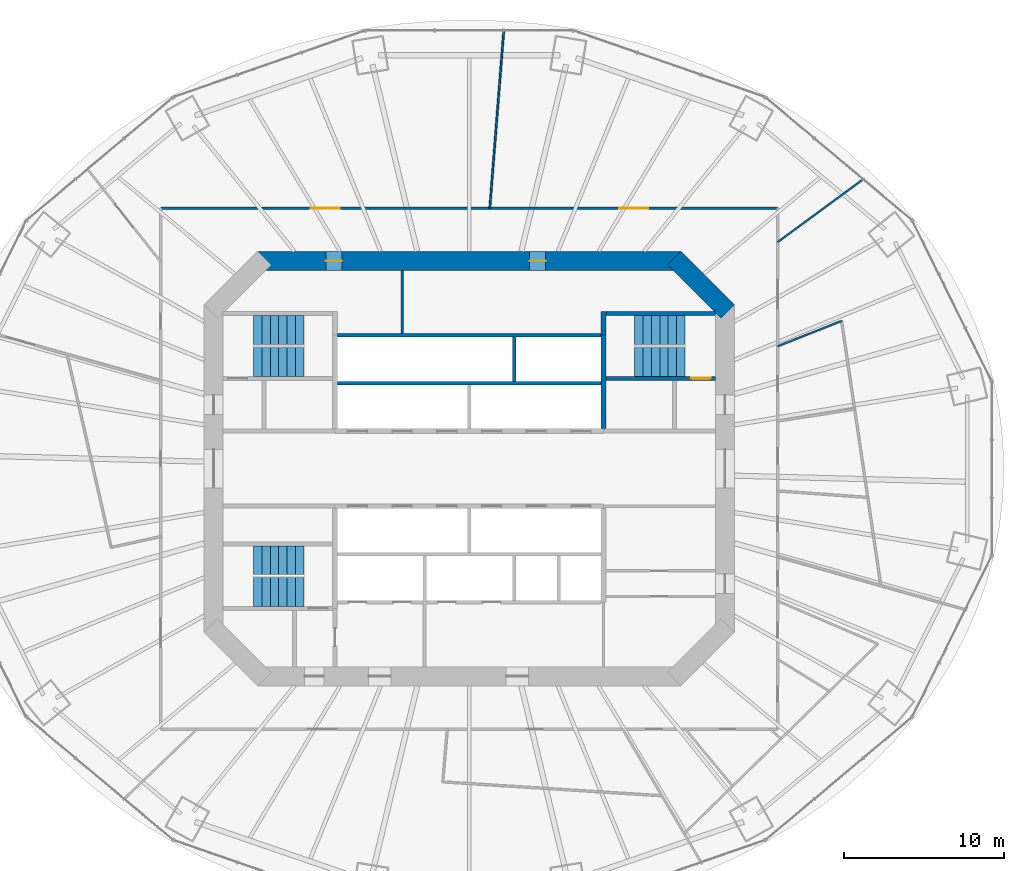
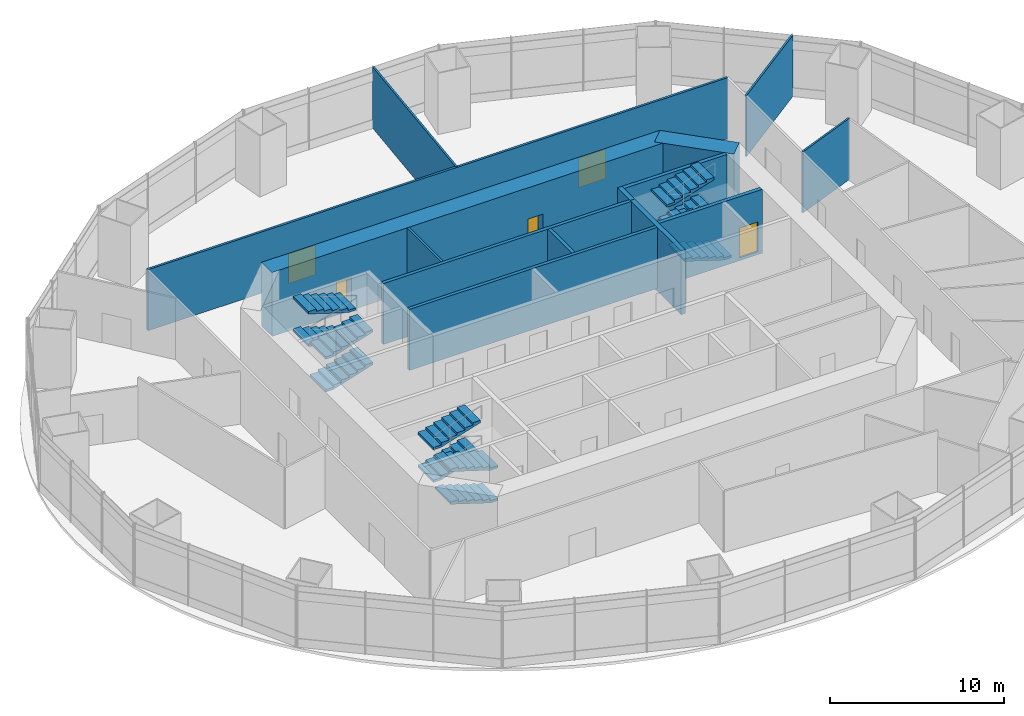
# One storey, part 16 of 17: 14 walls, 12 stair flights, 5 doors, 5 openings, 3 elements without a shape of their own.
"""IFC4 building model written with IfcOpenShell, lengths in metres."""

from ifc_helpers import new_model, si_unit, direction, frame, frame_2d, origin, place, context, subcontext, project, spatial, polyline, rectangle, outline, extrude, material, layer, layer_set, type_object, element, fill, aggregate, save


model = new_model("IFC4")

# Units and contexts
model_context = context("Model", 3, precision=1e-05, world=origin(), true_north=direction((0.0, 1.0)))
body_context = subcontext(model_context, "Body", "Model", "MODEL_VIEW")
ifc_project = project(units=[si_unit("LENGTHUNIT", "METRE"), si_unit("AREAUNIT", "SQUARE_METRE"), si_unit("VOLUMEUNIT", "CUBIC_METRE"), si_unit("PLANEANGLEUNIT", "RADIAN"), si_unit("MASSUNIT", "GRAM", prefix="KILO")], contexts=[model_context])

# Site, building, storey
site_placement = place(None, origin())
site = spatial("IfcSite", under=ifc_project, at=site_placement, CompositionType="ELEMENT")
building_placement = place(site_placement, origin())
building = spatial("IfcBuilding", under=site, at=building_placement, Name="Marenthal Gate Tower", CompositionType="ELEMENT")
storey_placement = place(building_placement, frame((0.0, 0.0, 145.050048828125)))
storey = spatial("IfcBuildingStorey", under=building, at=storey_placement, Name="L31", CompositionType="ELEMENT", Elevation=145.050048828125)

# Wall
ifc_material_1 = material(Name="Concrete 60 MPa", Category="concrete")
ifc_layer_1 = layer(ifc_material_1, 1.199951171875)
ifc_layer_set_1 = layer_set([ifc_layer_1], Name="Core shear wall 1200")
wall_type_1 = type_object("IfcWallType", Name="Core shear wall 1200", PredefinedType="SHEAR", material=ifc_layer_set_1)
wall_1_placement = place(storey_placement, frame((16.17578125, 9.82421875, -0.199951171875), z_axis=(0.0, 0.0, 1.0), x_axis=(-0.707106781187, 0.707106781187, 0.0)))
element("IfcWall", 1, at=wall_1_placement, inside=storey, type_object=wall_type_1, Name="Core wall 03", PredefinedType="SHEAR", context=body_context, shape_type="SweptSolid", body=[
    extrude(rectangle(XDim=4.73974609375, YDim=1.199951171875, at=frame_2d((2.369873046875, 0.0))), origin(), (0.0, 0.0, 1.0), 4.5),
])

# Wall, openings, doors
wall_2_placement = place(storey_placement, frame((13.24853515625, 13.0, -0.199951171875), z_axis=(0.0, 0.0, 1.0), x_axis=(-1.0, 0.0, 0.0)))
wall_2 = element("IfcWall", 2, at=wall_2_placement, inside=storey, type_object=wall_type_1, Name="Core wall 04", PredefinedType="SHEAR", context=body_context, shape_type="SweptSolid", body=[
    extrude(rectangle(XDim=26.4970703125, YDim=1.199951171875, at=frame_2d((13.24853515625, 0.0))), origin(), (0.0, 0.0, 1.0), 4.5),
])
opening_1_placement = place(wall_2_placement, frame((21.224609375, 0.0, 0.199951171875)))
opening_1 = element("IfcOpeningElement", 3, at=opening_1_placement, cuts=wall_2, Name="Opening D005.01", PredefinedType="OPENING", context=body_context, shape_type="SweptSolid", body=[
    extrude(rectangle(XDim=1.0, YDim=2.10009765625, at=frame_2d((0.5, 1.050048828125))), frame((0.0, 0.60986328125, 0.0), z_axis=(0.0, -1.0, 0.0), x_axis=(1.0, 0.0, 0.0)), (0.0, 0.0, 1.0), 1.219970703125),
])
opening_2_placement = place(wall_2_placement, frame((8.472412109375, 0.0, 0.199951171875)))
opening_2 = element("IfcOpeningElement", 4, at=opening_2_placement, cuts=wall_2, Name="Opening D005.02", PredefinedType="OPENING", context=body_context, shape_type="SweptSolid", body=[
    extrude(rectangle(XDim=1.0, YDim=2.10009765625, at=frame_2d((0.5, 1.050048828125))), frame((0.0, 0.60986328125, 0.0), z_axis=(0.0, -1.0, 0.0), x_axis=(1.0, 0.0, 0.0)), (0.0, 0.0, 1.0), 1.219970703125),
])
ifc_material_2 = material(Name="Steel fire door", Category="steel")
door_type_1 = type_object("IfcDoorType", Name="Fire door FD 45 1000 x 2100", OperationType="NOTDEFINED", PredefinedType="DOOR", material=ifc_material_2)
door_1_placement = place(opening_1_placement, origin())
door_1 = element("IfcDoor", 5, at=door_1_placement, inside=storey, type_object=door_type_1, Name="Door D005.01", OperationType="SINGLE_SWING_RIGHT", OverallHeight=2.10009765625, OverallWidth=1.0, PredefinedType="DOOR", context=body_context, shape_type="SweptSolid", body=[
    extrude(rectangle(XDim=1.0, YDim=2.10009765625, at=frame_2d((0.5, 1.050048828125))), frame((0.0, 0.02490234375, 0.0), z_axis=(0.0, -1.0, 0.0), x_axis=(1.0, 0.0, 0.0)), (0.0, 0.0, 1.0), 0.050048828125),
])
fill(opening_1, door_1)
door_2_placement = place(opening_2_placement, origin())
door_2 = element("IfcDoor", 6, at=door_2_placement, inside=storey, type_object=door_type_1, Name="Door D005.02", OperationType="SINGLE_SWING_RIGHT", OverallHeight=2.10009765625, OverallWidth=1.0, PredefinedType="DOOR", context=body_context, shape_type="SweptSolid", body=[
    extrude(rectangle(XDim=1.0, YDim=2.10009765625, at=frame_2d((0.5, 1.050048828125))), frame((0.0, 0.02490234375, 0.0), z_axis=(0.0, -1.0, 0.0), x_axis=(1.0, 0.0, 0.0)), (0.0, 0.0, 1.0), 0.050048828125),
])
fill(opening_2, door_2)

# Walls
ifc_material_3 = material(Name="Concrete 50 MPa", Category="concrete")
ifc_layer_2 = layer(ifc_material_3, 0.300048828125)
ifc_layer_set_2 = layer_set([ifc_layer_2], Name="Hoistway shear wall 300")
wall_type_2 = type_object("IfcWallType", Name="Hoistway shear wall 300", PredefinedType="SHEAR", material=ifc_layer_set_2)
wall_3_placement = place(storey_placement, frame((8.39990234375, 2.5, -0.199951171875), z_axis=(0.0, 0.0, 1.0), x_axis=(0.0, 1.0, 0.0)))
element("IfcWall", 7, at=wall_3_placement, inside=storey, type_object=wall_type_2, Name="Hoistway wall 44", PredefinedType="SHEAR", context=body_context, shape_type="SweptSolid", body=[
    extrude(rectangle(XDim=5.85009765625, YDim=0.300048828125, at=frame_2d((2.925048828125, 0.0))), origin(), (0.0, 0.0, 1.0), 4.5),
])
ifc_material_4 = material(Name="Concrete 40 MPa", Category="concrete")
ifc_layer_3 = layer(ifc_material_4, 0.219970703125)
ifc_layer_set_3 = layer_set([ifc_layer_3], Name="Hoistway wall 220")
wall_type_3 = type_object("IfcWallType", Name="Hoistway wall 220", PredefinedType="STANDARD", material=ifc_layer_set_3)
for number, where, z_axis, x_axis, name in (
    (8, (-8.25, 5.35009765625, 0.0), (0.0, 0.0, 1.0), (1.0, 0.0, 0.0), "Hoistway wall 22"),
    (9, (-8.25, 8.35009765625, 0.0), (0.0, 0.0, 1.0), (1.0, 0.0, 0.0), "Hoistway wall 25"),
):
    element("IfcWall", number, at=place(storey_placement, frame(where, z_axis=z_axis, x_axis=x_axis)), inside=storey, type_object=wall_type_3, Name=name, PredefinedType="STANDARD", context=body_context, shape_type="SweptSolid", body=[
        extrude(rectangle(XDim=16.5, YDim=0.219970703125, at=frame_2d((8.25, 0.0))), origin(), (0.0, 0.0, 1.0), 4.300048828125),
    ])
wall_4_placement = place(storey_placement, frame((2.800048828125, 5.4599609375, 0.0), z_axis=(0.0, 0.0, 1.0), x_axis=(0.0, 1.0, 0.0)))
element("IfcWall", 10, at=wall_4_placement, inside=storey, type_object=wall_type_3, Name="Hoistway wall 40", PredefinedType="STANDARD", context=body_context, shape_type="SweptSolid", body=[
    extrude(rectangle(XDim=2.780029296875, YDim=0.219970703125, at=frame_2d((1.39013671875, 0.0))), origin(), (0.0, 0.0, 1.0), 4.300048828125),
])
ifc_material_5 = material(Name="Gypsum board on steel studs", Category="steel")
ifc_layer_4 = layer(ifc_material_5, 0.1201171875)
ifc_layer_set_4 = layer_set([ifc_layer_4], Name="Partition 120")
wall_type_4 = type_object("IfcWallType", Name="Partition 120", PredefinedType="PARTITIONING", material=ifc_layer_set_4)
wall_5_placement = place(storey_placement, frame((1.282958984375, 16.300048828125, 0.0), z_axis=(0.0, 0.0, 1.0), x_axis=(0.078467217376, 0.996916694512, 0.0)))
element("IfcWall", 11, at=wall_5_placement, inside=storey, type_object=wall_type_4, Name="Partition wall 55", PredefinedType="PARTITIONING", context=body_context, shape_type="SweptSolid", body=[
    extrude(rectangle(XDim=11.154296875, YDim=0.1201171875, at=frame_2d((5.5771484375, 0.0))), origin(), (0.0, 0.0, 1.0), 4.300048828125),
])
wall_6_placement = place(storey_placement, frame((19.300048828125, 14.1796875, 0.0), z_axis=(0.0, 0.0, 1.0), x_axis=(0.805871425668, 0.592090571865, 0.0)))
element("IfcWall", 12, at=wall_6_placement, inside=storey, type_object=wall_type_4, Name="Partition wall 61", PredefinedType="PARTITIONING", context=body_context, shape_type="SweptSolid", body=[
    extrude(rectangle(XDim=6.637451171875, YDim=0.1201171875, at=frame_2d((3.31884765625, 0.0))), origin(), (0.0, 0.0, 1.0), 4.300048828125),
])
wall_7_placement = place(storey_placement, frame((23.2958984375, 9.242431640625, 0.0), z_axis=(0.0, 0.0, 1.0), x_axis=(-0.92950709005, -0.368804242854, 0.0)))
element("IfcWall", 13, at=wall_7_placement, inside=storey, type_object=wall_type_4, Name="Partition wall 65", PredefinedType="PARTITIONING", context=body_context, shape_type="SweptSolid", body=[
    extrude(rectangle(XDim=4.298828125, YDim=0.1201171875, at=frame_2d((2.1494140625, 0.0))), origin(), (0.0, 0.0, 1.0), 4.300048828125),
])
ifc_material_6 = material(Name="Gypsum board on steel studs", Category="steel")
ifc_layer_5 = layer(ifc_material_6, 0.14990234375)
ifc_layer_set_5 = layer_set([ifc_layer_5], Name="Partition 150")
wall_type_5 = type_object("IfcWallType", Name="Partition 150", PredefinedType="PARTITIONING", material=ifc_layer_set_5)
wall_8_placement = place(storey_placement, frame((-4.199951171875, 8.4599609375, 0.0), z_axis=(0.0, 0.0, 1.0), x_axis=(0.0, 1.0, 0.0)))
element("IfcWall", 14, at=wall_8_placement, inside=storey, type_object=wall_type_5, Name="Partition wall 34", PredefinedType="PARTITIONING", context=body_context, shape_type="SweptSolid", body=[
    extrude(rectangle(XDim=3.93994140625, YDim=0.14990234375, at=frame_2d((1.969970703125, 0.0))), origin(), (0.0, 0.0, 1.0), 4.300048828125),
])

# Wall, openings, doors
wall_9_placement = place(storey_placement, frame((-19.300048828125, 16.300048828125, 0.0), z_axis=(0.0, 0.0, 1.0), x_axis=(1.0, 0.0, 0.0)))
wall_9 = element("IfcWall", 15, at=wall_9_placement, inside=storey, type_object=wall_type_5, Name="Partition wall 51", PredefinedType="PARTITIONING", context=body_context, shape_type="SweptSolid", body=[
    extrude(rectangle(XDim=38.60009765625, YDim=0.14990234375, at=frame_2d((19.300048828125, 0.0))), origin(), (0.0, 0.0, 1.0), 4.300048828125),
])
opening_3_placement = place(wall_9_placement, frame((28.69189453125, 0.0, 0.0)))
opening_3 = element("IfcOpeningElement", 16, at=opening_3_placement, cuts=wall_9, Name="Opening D014.01", PredefinedType="OPENING", context=body_context, shape_type="SweptSolid", body=[
    extrude(rectangle(XDim=1.800048828125, YDim=2.10009765625, at=frame_2d((0.89990234375, 1.050048828125))), frame((0.0, 0.0849609375, 0.0), z_axis=(0.0, -1.0, 0.0), x_axis=(1.0, 0.0, 0.0)), (0.0, 0.0, 1.0), 0.169921875),
])
opening_4_placement = place(wall_9_placement, frame((9.39208984375, 0.0, 0.0)))
opening_4 = element("IfcOpeningElement", 17, at=opening_4_placement, cuts=wall_9, Name="Opening D014.02", PredefinedType="OPENING", context=body_context, shape_type="SweptSolid", body=[
    extrude(rectangle(XDim=1.800048828125, YDim=2.10009765625, at=frame_2d((0.89990234375, 1.050048828125))), frame((0.0, 0.0849609375, 0.0), z_axis=(0.0, -1.0, 0.0), x_axis=(1.0, 0.0, 0.0)), (0.0, 0.0, 1.0), 0.169921875),
])
ifc_material_7 = material(Name="Timber door", Category="wood")
door_type_2 = type_object("IfcDoorType", Name="Double door 1800 x 2100", OperationType="DOUBLE_DOOR_SINGLE_SWING", PredefinedType="DOOR", material=ifc_material_7)
door_3_placement = place(opening_3_placement, origin())
door_3 = element("IfcDoor", 18, at=door_3_placement, inside=storey, type_object=door_type_2, Name="Door D014.01", OperationType="DOUBLE_DOOR_SINGLE_SWING", OverallHeight=2.10009765625, OverallWidth=1.800048828125, PredefinedType="DOOR", context=body_context, shape_type="SweptSolid", body=[
    extrude(rectangle(XDim=1.800048828125, YDim=2.10009765625, at=frame_2d((0.89990234375, 1.050048828125))), frame((0.0, 0.02490234375, 0.0), z_axis=(0.0, -1.0, 0.0), x_axis=(1.0, 0.0, 0.0)), (0.0, 0.0, 1.0), 0.050048828125),
])
fill(opening_3, door_3)
door_4_placement = place(opening_4_placement, origin())
door_4 = element("IfcDoor", 19, at=door_4_placement, inside=storey, type_object=door_type_2, Name="Door D014.02", OperationType="DOUBLE_DOOR_SINGLE_SWING", OverallHeight=2.10009765625, OverallWidth=1.800048828125, PredefinedType="DOOR", context=body_context, shape_type="SweptSolid", body=[
    extrude(rectangle(XDim=1.800048828125, YDim=2.10009765625, at=frame_2d((0.89990234375, 1.050048828125))), frame((0.0, 0.02490234375, 0.0), z_axis=(0.0, -1.0, 0.0), x_axis=(1.0, 0.0, 0.0)), (0.0, 0.0, 1.0), 0.050048828125),
])
fill(opening_4, door_4)

# Wall, opening, door
ifc_material_8 = material(Name="Concrete 50 MPa", Category="concrete")
ifc_layer_6 = layer(ifc_material_8, 0.25)
ifc_layer_set_6 = layer_set([ifc_layer_6], Name="Stair shear wall 250")
wall_type_6 = type_object("IfcWallType", Name="Stair shear wall 250", PredefinedType="SHEAR", material=ifc_layer_set_6)
wall_10_placement = place(storey_placement, frame((8.550048828125, 5.64990234375, -0.199951171875), z_axis=(0.0, 0.0, 1.0), x_axis=(1.0, 0.0, 0.0)))
wall_10 = element("IfcWall", 20, at=wall_10_placement, inside=storey, type_object=wall_type_6, Name="Stair wall 24", PredefinedType="SHEAR", context=body_context, shape_type="SweptSolid", body=[
    extrude(rectangle(XDim=6.849853515625, YDim=0.25, at=frame_2d((3.4248046875, 0.0))), origin(), (0.0, 0.0, 1.0), 4.5),
])
opening_5_placement = place(wall_10_placement, frame((5.35009765625, 0.0, 0.199951171875)))
opening_5 = element("IfcOpeningElement", 21, at=opening_5_placement, cuts=wall_10, Name="Opening D001.02", PredefinedType="OPENING", context=body_context, shape_type="SweptSolid", body=[
    extrude(rectangle(XDim=1.199951171875, YDim=2.10009765625, at=frame_2d((0.60009765625, 1.050048828125))), frame((0.0, 0.135009765625, 0.0), z_axis=(0.0, -1.0, 0.0), x_axis=(1.0, 0.0, 0.0)), (0.0, 0.0, 1.0), 0.27001953125),
])
ifc_material_9 = material(Name="Steel fire door", Category="steel")
door_type_3 = type_object("IfcDoorType", Name="Fire door FD 90 1200 x 2100", OperationType="NOTDEFINED", PredefinedType="DOOR", material=ifc_material_9)
door_5_placement = place(opening_5_placement, origin())
door_5 = element("IfcDoor", 22, at=door_5_placement, inside=storey, type_object=door_type_3, Name="Door D001.02", OperationType="SINGLE_SWING_RIGHT", OverallHeight=2.10009765625, OverallWidth=1.199951171875, PredefinedType="DOOR", context=body_context, shape_type="SweptSolid", body=[
    extrude(rectangle(XDim=1.199951171875, YDim=2.10009765625, at=frame_2d((0.60009765625, 1.050048828125))), frame((0.0, 0.02490234375, 0.0), z_axis=(0.0, -1.0, 0.0), x_axis=(1.0, 0.0, 0.0)), (0.0, 0.0, 1.0), 0.050048828125),
])
fill(opening_5, door_5)

# Walls
wall_11_placement = place(storey_placement, frame((8.550048828125, 9.699951171875, -0.199951171875), z_axis=(0.0, 0.0, 1.0), x_axis=(1.0, 0.0, 0.0)))
element("IfcWall", 23, at=wall_11_placement, inside=storey, type_object=wall_type_6, Name="Stair wall 27", PredefinedType="SHEAR", context=body_context, shape_type="SweptSolid", body=[
    extrude(rectangle(XDim=6.849853515625, YDim=0.25, at=frame_2d((3.4248046875, 0.0))), origin(), (0.0, 0.0, 1.0), 4.5),
])
ifc_material_10 = material(Name="Concrete 50 MPa", Category="concrete")
ifc_layer_7 = layer(ifc_material_10, 0.300048828125)
ifc_layer_set_7 = layer_set([ifc_layer_7], Name="Stair shear wall 300")
wall_type_7 = type_object("IfcWallType", Name="Stair shear wall 300", PredefinedType="SHEAR", material=ifc_layer_set_7)
wall_12_placement = place(storey_placement, frame((8.39990234375, 8.35009765625, -0.199951171875), z_axis=(0.0, 0.0, 1.0), x_axis=(0.0, 1.0, 0.0)))
element("IfcWall", 24, at=wall_12_placement, inside=storey, type_object=wall_type_7, Name="Stair wall 45", PredefinedType="SHEAR", context=body_context, shape_type="SweptSolid", body=[
    extrude(rectangle(XDim=1.474853515625, YDim=0.300048828125, at=frame_2d((0.7373046875, 0.0))), origin(), (0.0, 0.0, 1.0), 4.5),
])

# Stair, stair flights
ifc_material_11 = material(Name="Concrete 40 MPa", Category="concrete")
stair_type = type_object("IfcStairType", Name="Exit stair 1800", PredefinedType="HALF_TURN_STAIR", material=ifc_material_11)
stair_1_placement = place(storey_placement, origin())
stair_1 = element("IfcStair", 25, at=stair_1_placement, inside=storey, type_object=stair_type, Name="Stair ST1", PredefinedType="HALF_TURN_STAIR")
ifc_material_12 = material(Name="Concrete 40 MPa", Category="concrete")
stair_flight_type = type_object("IfcStairFlightType", Name="Stair flight 1800", PredefinedType="STRAIGHT", material=ifc_material_12)
stair_flight_1_placement = place(storey_placement, frame((-13.5, 6.675048828125, 0.0), z_axis=(0.0, 0.0, 1.0), x_axis=(1.0, 0.0, 0.0)))
stair_flight_1 = element("IfcStairFlight", 26, at=stair_flight_1_placement, type_object=stair_flight_type, Name="ST1 flight 1", NumberOfRisers=7, NumberOfTreads=6, PredefinedType="STRAIGHT", RiserHeight=0.164285714, TreadLength=0.525, context=body_context, shape_type="SweptSolid", body=[
    extrude(outline(polyline([(0.0, 0.0), (0.0, 0.164306640625), (0.52490234375, 0.164306640625), (0.52490234375, 0.32861328125), (1.050048828125, 0.32861328125), (1.050048828125, 0.492919921875), (1.574951171875, 0.492919921875), (1.574951171875, 0.6572265625), (2.10009765625, 0.6572265625), (2.10009765625, 0.821533203125), (2.625, 0.821533203125), (2.625, 0.985595703125), (3.14990234375, 0.985595703125), (3.14990234375, 1.14990234375), (3.14990234375, 0.82861328125), (0.501953125, 0.0), (0.0, 0.0)])), frame((0.0, 0.89990234375, 0.0), z_axis=(0.0, -1.0, 0.0), x_axis=(1.0, 0.0, 0.0)), (0.0, 0.0, 1.0), 1.800048828125),
])
stair_flight_2_placement = place(storey_placement, frame((-10.35009765625, 8.675048828125, 1.14990234375), z_axis=(0.0, 0.0, 1.0), x_axis=(-1.0, 0.0, 0.0)))
stair_flight_2 = element("IfcStairFlight", 27, at=stair_flight_2_placement, type_object=stair_flight_type, Name="ST1 flight 2", NumberOfRisers=7, NumberOfTreads=6, PredefinedType="STRAIGHT", RiserHeight=0.164285714, TreadLength=0.525, context=body_context, shape_type="SweptSolid", body=[
    extrude(outline(polyline([(0.0, 0.0), (0.0, 0.164306640625), (0.52490234375, 0.164306640625), (0.52490234375, 0.32861328125), (1.050048828125, 0.32861328125), (1.050048828125, 0.492919921875), (1.574951171875, 0.492919921875), (1.574951171875, 0.6572265625), (2.10009765625, 0.6572265625), (2.10009765625, 0.821533203125), (2.625, 0.821533203125), (2.625, 0.985595703125), (3.14990234375, 0.985595703125), (3.14990234375, 1.14990234375), (3.14990234375, 0.82861328125), (0.501953125, 0.0), (0.0, 0.0)])), frame((0.0, 0.89990234375, 0.0), z_axis=(0.0, -1.0, 0.0), x_axis=(1.0, 0.0, 0.0)), (0.0, 0.0, 1.0), 1.800048828125),
])
stair_flight_3_placement = place(storey_placement, frame((-13.5, 6.675048828125, 2.300048828125), z_axis=(0.0, 0.0, 1.0), x_axis=(1.0, 0.0, 0.0)))
stair_flight_3 = element("IfcStairFlight", 28, at=stair_flight_3_placement, type_object=stair_flight_type, Name="ST1 flight 3", NumberOfRisers=7, NumberOfTreads=6, PredefinedType="STRAIGHT", RiserHeight=0.164285714, TreadLength=0.525, context=body_context, shape_type="SweptSolid", body=[
    extrude(outline(polyline([(0.0, 0.0), (0.0, 0.164306640625), (0.52490234375, 0.164306640625), (0.52490234375, 0.32861328125), (1.050048828125, 0.32861328125), (1.050048828125, 0.492919921875), (1.574951171875, 0.492919921875), (1.574951171875, 0.6572265625), (2.10009765625, 0.6572265625), (2.10009765625, 0.821533203125), (2.625, 0.821533203125), (2.625, 0.985595703125), (3.14990234375, 0.985595703125), (3.14990234375, 1.14990234375), (3.14990234375, 0.82861328125), (0.501953125, 0.0), (0.0, 0.0)])), frame((0.0, 0.89990234375, 0.0), z_axis=(0.0, -1.0, 0.0), x_axis=(1.0, 0.0, 0.0)), (0.0, 0.0, 1.0), 1.800048828125),
])
stair_flight_4_placement = place(storey_placement, frame((-10.35009765625, 8.675048828125, 3.449951171875), z_axis=(0.0, 0.0, 1.0), x_axis=(-1.0, 0.0, 0.0)))
stair_flight_4 = element("IfcStairFlight", 29, at=stair_flight_4_placement, type_object=stair_flight_type, Name="ST1 flight 4", NumberOfRisers=7, NumberOfTreads=6, PredefinedType="STRAIGHT", RiserHeight=0.164285714, TreadLength=0.525, context=body_context, shape_type="SweptSolid", body=[
    extrude(outline(polyline([(0.0, 0.0), (0.0, 0.164306640625), (0.52490234375, 0.164306640625), (0.52490234375, 0.32861328125), (1.050048828125, 0.32861328125), (1.050048828125, 0.492919921875), (1.574951171875, 0.492919921875), (1.574951171875, 0.6572265625), (2.10009765625, 0.6572265625), (2.10009765625, 0.821533203125), (2.625, 0.821533203125), (2.625, 0.985595703125), (3.14990234375, 0.985595703125), (3.14990234375, 1.14990234375), (3.14990234375, 0.82861328125), (0.501953125, 0.0), (0.0, 0.0)])), frame((0.0, 0.89990234375, 0.0), z_axis=(0.0, -1.0, 0.0), x_axis=(1.0, 0.0, 0.0)), (0.0, 0.0, 1.0), 1.800048828125),
])
aggregate(stair_1, [stair_flight_1, stair_flight_2, stair_flight_3, stair_flight_4])

stair_2_placement = place(storey_placement, origin())
stair_2 = element("IfcStair", 30, at=stair_2_placement, inside=storey, type_object=stair_type, Name="Stair ST2", PredefinedType="HALF_TURN_STAIR")
stair_flight_5_placement = place(storey_placement, frame((-10.35009765625, -7.72509765625, 0.0), z_axis=(0.0, 0.0, 1.0), x_axis=(-1.0, 0.0, 0.0)))
stair_flight_5 = element("IfcStairFlight", 31, at=stair_flight_5_placement, type_object=stair_flight_type, Name="ST2 flight 1", NumberOfRisers=7, NumberOfTreads=6, PredefinedType="STRAIGHT", RiserHeight=0.164285714, TreadLength=0.525, context=body_context, shape_type="SweptSolid", body=[
    extrude(outline(polyline([(0.0, 0.0), (0.0, 0.164306640625), (0.52490234375, 0.164306640625), (0.52490234375, 0.32861328125), (1.050048828125, 0.32861328125), (1.050048828125, 0.492919921875), (1.574951171875, 0.492919921875), (1.574951171875, 0.6572265625), (2.10009765625, 0.6572265625), (2.10009765625, 0.821533203125), (2.625, 0.821533203125), (2.625, 0.985595703125), (3.14990234375, 0.985595703125), (3.14990234375, 1.14990234375), (3.14990234375, 0.82861328125), (0.501953125, 0.0), (0.0, 0.0)])), frame((0.0, 0.89990234375, 0.0), z_axis=(0.0, -1.0, 0.0), x_axis=(1.0, 0.0, 0.0)), (0.0, 0.0, 1.0), 1.800048828125),
])
stair_flight_6_placement = place(storey_placement, frame((-13.5, -5.72509765625, 1.14990234375), z_axis=(0.0, 0.0, 1.0), x_axis=(1.0, 0.0, 0.0)))
stair_flight_6 = element("IfcStairFlight", 32, at=stair_flight_6_placement, type_object=stair_flight_type, Name="ST2 flight 2", NumberOfRisers=7, NumberOfTreads=6, PredefinedType="STRAIGHT", RiserHeight=0.164285714, TreadLength=0.525, context=body_context, shape_type="SweptSolid", body=[
    extrude(outline(polyline([(0.0, 0.0), (0.0, 0.164306640625), (0.52490234375, 0.164306640625), (0.52490234375, 0.32861328125), (1.050048828125, 0.32861328125), (1.050048828125, 0.492919921875), (1.574951171875, 0.492919921875), (1.574951171875, 0.6572265625), (2.10009765625, 0.6572265625), (2.10009765625, 0.821533203125), (2.625, 0.821533203125), (2.625, 0.985595703125), (3.14990234375, 0.985595703125), (3.14990234375, 1.14990234375), (3.14990234375, 0.82861328125), (0.501953125, 0.0), (0.0, 0.0)])), frame((0.0, 0.89990234375, 0.0), z_axis=(0.0, -1.0, 0.0), x_axis=(1.0, 0.0, 0.0)), (0.0, 0.0, 1.0), 1.800048828125),
])
stair_flight_7_placement = place(storey_placement, frame((-10.35009765625, -7.72509765625, 2.300048828125), z_axis=(0.0, 0.0, 1.0), x_axis=(-1.0, 0.0, 0.0)))
stair_flight_7 = element("IfcStairFlight", 33, at=stair_flight_7_placement, type_object=stair_flight_type, Name="ST2 flight 3", NumberOfRisers=7, NumberOfTreads=6, PredefinedType="STRAIGHT", RiserHeight=0.164285714, TreadLength=0.525, context=body_context, shape_type="SweptSolid", body=[
    extrude(outline(polyline([(0.0, 0.0), (0.0, 0.164306640625), (0.52490234375, 0.164306640625), (0.52490234375, 0.32861328125), (1.050048828125, 0.32861328125), (1.050048828125, 0.492919921875), (1.574951171875, 0.492919921875), (1.574951171875, 0.6572265625), (2.10009765625, 0.6572265625), (2.10009765625, 0.821533203125), (2.625, 0.821533203125), (2.625, 0.985595703125), (3.14990234375, 0.985595703125), (3.14990234375, 1.14990234375), (3.14990234375, 0.82861328125), (0.501953125, 0.0), (0.0, 0.0)])), frame((0.0, 0.89990234375, 0.0), z_axis=(0.0, -1.0, 0.0), x_axis=(1.0, 0.0, 0.0)), (0.0, 0.0, 1.0), 1.800048828125),
])
stair_flight_8_placement = place(storey_placement, frame((-13.5, -5.72509765625, 3.449951171875), z_axis=(0.0, 0.0, 1.0), x_axis=(1.0, 0.0, 0.0)))
stair_flight_8 = element("IfcStairFlight", 34, at=stair_flight_8_placement, type_object=stair_flight_type, Name="ST2 flight 4", NumberOfRisers=7, NumberOfTreads=6, PredefinedType="STRAIGHT", RiserHeight=0.164285714, TreadLength=0.525, context=body_context, shape_type="SweptSolid", body=[
    extrude(outline(polyline([(0.0, 0.0), (0.0, 0.164306640625), (0.52490234375, 0.164306640625), (0.52490234375, 0.32861328125), (1.050048828125, 0.32861328125), (1.050048828125, 0.492919921875), (1.574951171875, 0.492919921875), (1.574951171875, 0.6572265625), (2.10009765625, 0.6572265625), (2.10009765625, 0.821533203125), (2.625, 0.821533203125), (2.625, 0.985595703125), (3.14990234375, 0.985595703125), (3.14990234375, 1.14990234375), (3.14990234375, 0.82861328125), (0.501953125, 0.0), (0.0, 0.0)])), frame((0.0, 0.89990234375, 0.0), z_axis=(0.0, -1.0, 0.0), x_axis=(1.0, 0.0, 0.0)), (0.0, 0.0, 1.0), 1.800048828125),
])
aggregate(stair_2, [stair_flight_5, stair_flight_6, stair_flight_7, stair_flight_8])

stair_3_placement = place(storey_placement, origin())
stair_3 = element("IfcStair", 35, at=stair_3_placement, inside=storey, type_object=stair_type, Name="Stair ST3", PredefinedType="HALF_TURN_STAIR")
stair_flight_9_placement = place(storey_placement, frame((13.5, 6.675048828125, 0.0), z_axis=(0.0, 0.0, 1.0), x_axis=(-1.0, 0.0, 0.0)))
stair_flight_9 = element("IfcStairFlight", 36, at=stair_flight_9_placement, type_object=stair_flight_type, Name="ST3 flight 1", NumberOfRisers=7, NumberOfTreads=6, PredefinedType="STRAIGHT", RiserHeight=0.164285714, TreadLength=0.525, context=body_context, shape_type="SweptSolid", body=[
    extrude(outline(polyline([(0.0, 0.0), (0.0, 0.164306640625), (0.52490234375, 0.164306640625), (0.52490234375, 0.32861328125), (1.050048828125, 0.32861328125), (1.050048828125, 0.492919921875), (1.574951171875, 0.492919921875), (1.574951171875, 0.6572265625), (2.10009765625, 0.6572265625), (2.10009765625, 0.821533203125), (2.625, 0.821533203125), (2.625, 0.985595703125), (3.14990234375, 0.985595703125), (3.14990234375, 1.14990234375), (3.14990234375, 0.82861328125), (0.501953125, 0.0), (0.0, 0.0)])), frame((0.0, 0.89990234375, 0.0), z_axis=(0.0, -1.0, 0.0), x_axis=(1.0, 0.0, 0.0)), (0.0, 0.0, 1.0), 1.800048828125),
])
stair_flight_10_placement = place(storey_placement, frame((10.35009765625, 8.675048828125, 1.14990234375), z_axis=(0.0, 0.0, 1.0), x_axis=(1.0, 0.0, 0.0)))
stair_flight_10 = element("IfcStairFlight", 37, at=stair_flight_10_placement, type_object=stair_flight_type, Name="ST3 flight 2", NumberOfRisers=7, NumberOfTreads=6, PredefinedType="STRAIGHT", RiserHeight=0.164285714, TreadLength=0.525, context=body_context, shape_type="SweptSolid", body=[
    extrude(outline(polyline([(0.0, 0.0), (0.0, 0.164306640625), (0.52490234375, 0.164306640625), (0.52490234375, 0.32861328125), (1.050048828125, 0.32861328125), (1.050048828125, 0.492919921875), (1.574951171875, 0.492919921875), (1.574951171875, 0.6572265625), (2.10009765625, 0.6572265625), (2.10009765625, 0.821533203125), (2.625, 0.821533203125), (2.625, 0.985595703125), (3.14990234375, 0.985595703125), (3.14990234375, 1.14990234375), (3.14990234375, 0.82861328125), (0.501953125, 0.0), (0.0, 0.0)])), frame((0.0, 0.89990234375, 0.0), z_axis=(0.0, -1.0, 0.0), x_axis=(1.0, 0.0, 0.0)), (0.0, 0.0, 1.0), 1.800048828125),
])
stair_flight_11_placement = place(storey_placement, frame((13.5, 6.675048828125, 2.300048828125), z_axis=(0.0, 0.0, 1.0), x_axis=(-1.0, 0.0, 0.0)))
stair_flight_11 = element("IfcStairFlight", 38, at=stair_flight_11_placement, type_object=stair_flight_type, Name="ST3 flight 3", NumberOfRisers=7, NumberOfTreads=6, PredefinedType="STRAIGHT", RiserHeight=0.164285714, TreadLength=0.525, context=body_context, shape_type="SweptSolid", body=[
    extrude(outline(polyline([(0.0, 0.0), (0.0, 0.164306640625), (0.52490234375, 0.164306640625), (0.52490234375, 0.32861328125), (1.050048828125, 0.32861328125), (1.050048828125, 0.492919921875), (1.574951171875, 0.492919921875), (1.574951171875, 0.6572265625), (2.10009765625, 0.6572265625), (2.10009765625, 0.821533203125), (2.625, 0.821533203125), (2.625, 0.985595703125), (3.14990234375, 0.985595703125), (3.14990234375, 1.14990234375), (3.14990234375, 0.82861328125), (0.501953125, 0.0), (0.0, 0.0)])), frame((0.0, 0.89990234375, 0.0), z_axis=(0.0, -1.0, 0.0), x_axis=(1.0, 0.0, 0.0)), (0.0, 0.0, 1.0), 1.800048828125),
])
stair_flight_12_placement = place(storey_placement, frame((10.35009765625, 8.675048828125, 3.449951171875), z_axis=(0.0, 0.0, 1.0), x_axis=(1.0, 0.0, 0.0)))
stair_flight_12 = element("IfcStairFlight", 39, at=stair_flight_12_placement, type_object=stair_flight_type, Name="ST3 flight 4", NumberOfRisers=7, NumberOfTreads=6, PredefinedType="STRAIGHT", RiserHeight=0.164285714, TreadLength=0.525, context=body_context, shape_type="SweptSolid", body=[
    extrude(outline(polyline([(0.0, 0.0), (0.0, 0.164306640625), (0.52490234375, 0.164306640625), (0.52490234375, 0.32861328125), (1.050048828125, 0.32861328125), (1.050048828125, 0.492919921875), (1.574951171875, 0.492919921875), (1.574951171875, 0.6572265625), (2.10009765625, 0.6572265625), (2.10009765625, 0.821533203125), (2.625, 0.821533203125), (2.625, 0.985595703125), (3.14990234375, 0.985595703125), (3.14990234375, 1.14990234375), (3.14990234375, 0.82861328125), (0.501953125, 0.0), (0.0, 0.0)])), frame((0.0, 0.89990234375, 0.0), z_axis=(0.0, -1.0, 0.0), x_axis=(1.0, 0.0, 0.0)), (0.0, 0.0, 1.0), 1.800048828125),
])
aggregate(stair_3, [stair_flight_9, stair_flight_10, stair_flight_11, stair_flight_12])

save(model, "model.ifc")
